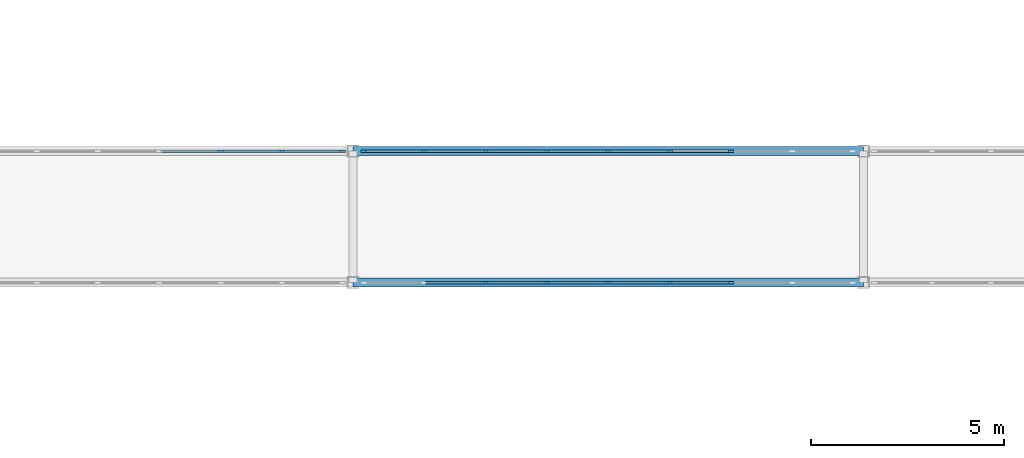
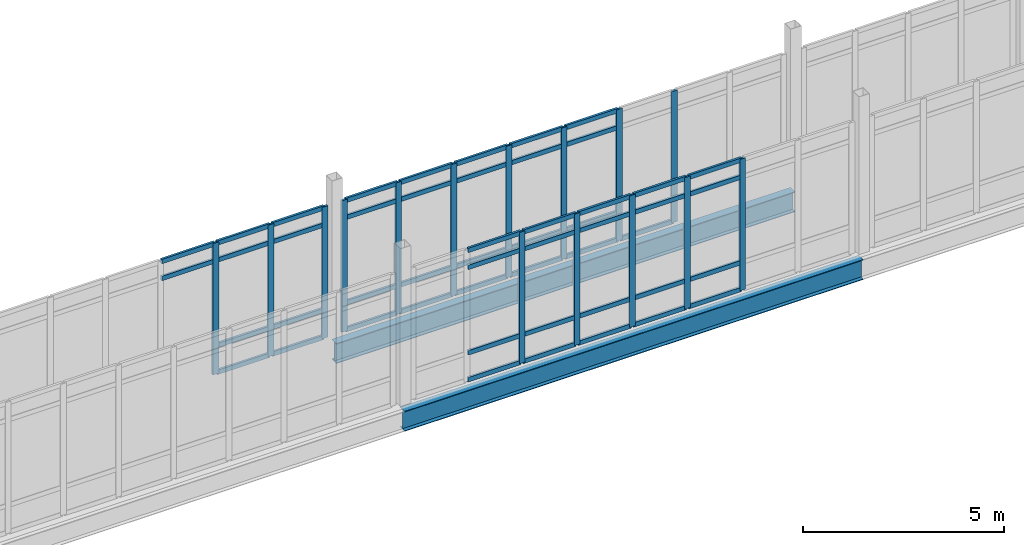
# One storey, part 41 of 125: 66 members, 2 beams, 3 elements without a shape of their own.
"""IFC4 building model written with IfcOpenShell, lengths in metres."""

from ifc_helpers import new_model, si_unit, direction, frame, origin, origin_2d, place, context, subcontext, project, spatial, rectangle, i_section, extrude, material, material_profile, profile_set, type_object, element, aggregate, save


model = new_model("IFC4")

# Units and contexts
model_context = context("Model", 3, precision=1e-05, world=origin(), true_north=direction((0.0, 1.0)))
body_context = subcontext(model_context, "Body", "Model", "MODEL_VIEW")
ifc_project = project(units=[si_unit("LENGTHUNIT", "METRE"), si_unit("AREAUNIT", "SQUARE_METRE"), si_unit("VOLUMEUNIT", "CUBIC_METRE"), si_unit("PLANEANGLEUNIT", "RADIAN"), si_unit("MASSUNIT", "GRAM", prefix="KILO")], contexts=[model_context])

# Site, building, storey
site_placement = place(None, origin())
site = spatial("IfcSite", under=ifc_project, at=site_placement, CompositionType="ELEMENT")
building_placement = place(site_placement, origin())
building = spatial("IfcBuilding", under=site, at=building_placement, Name="Dornvale Research Institute", CompositionType="ELEMENT")
storey_placement = place(building_placement, frame((0.0, 0.0, 5.39990234375)))
storey = spatial("IfcBuildingStorey", under=building, at=storey_placement, Name="L01", CompositionType="ELEMENT", Elevation=5.39990234375)

# Beams
ifc_material_1 = material(Name="Steel ASTM A992 Grade 50", Category="steel")
ifc_material_profile_1 = material_profile(ifc_material_1, i_section(OverallWidth=0.22900390625, OverallDepth=0.612060546875, WebThickness=0.011962890625, FlangeThickness=0.01953125, at=origin_2d()), Name="W24X84")
ifc_profile_set_1 = profile_set([ifc_material_profile_1], Name="Steel ASTM A992 Grade 50")
beam_type = type_object("IfcBeamType", Name="Beam_Steel_W24X84_Bridge", PredefinedType="BEAM", material=ifc_profile_set_1)
for number, where, z_axis, x_axis, name in (
    (1, (85.800048828125, 113.10009765625, -0.52587890625), (1.0, 0.0, 0.0), (0.0, 1.0, 0.0), "L01 BR-5 south girder #2026"),
    (2, (85.800048828125, 116.5, -0.52587890625), (1.0, 0.0, 0.0), (0.0, 1.0, 0.0), "L01 BR-5 north girder #2026"),
):
    element("IfcBeam", number, at=place(storey_placement, frame(where, z_axis=z_axis, x_axis=x_axis)), inside=storey, type_object=beam_type, Name=name, PredefinedType="BEAM", context=body_context, shape_type="SweptSolid", body=[
        extrude(i_section(OverallWidth=0.22900390625, OverallDepth=0.612060546875, WebThickness=0.011962890625, FlangeThickness=0.01953125, at=origin_2d()), origin(), (0.0, 0.0, 1.0), 13.199951171875),
    ])

# Curtain wall, members
ifc_material_2 = material(Name="Low-E Argon Double Insulating Glazing Unit", Category="glass")
curtain_wall_type = type_object("IfcCurtainWallType", Name="UnitisedCurtainWall_V2_12700x4000", PredefinedType="USERDEFINED", material=ifc_material_2)
curtain_wall_1_placement = place(storey_placement, origin())
curtain_wall_1 = element("IfcCurtainWall", 3, at=curtain_wall_1_placement, inside=storey, type_object=curtain_wall_type, Name="L01 V2 unitised curtain wall CW-42 #215", ObjectType="UNITISED CURTAIN WALL", PredefinedType="USERDEFINED")
ifc_material_3 = material(Name="Anodized Aluminum AA 6063-T6 Thermally Broken Frame", Category="aluminium")
ifc_material_profile_2 = material_profile(ifc_material_3, rectangle(XDim=0.06494140625, YDim=0.1650390625, at=origin_2d()), Name="ALU MULLION 65x165")
ifc_profile_set_2 = profile_set([ifc_material_profile_2], Name="Anodized Aluminum AA 6063-T6 Thermally Broken Frame")
member_type_1 = type_object("IfcMemberType", Name="Mullion_Atrium_65x165", PredefinedType="MULLION", material=ifc_profile_set_2)
member_1_placement = place(storey_placement, frame((82.375, 116.5, 0.0), z_axis=(0.0, 0.0, 1.0), x_axis=(0.0, 1.0, 0.0)))
member_1 = element("IfcMember", 4, at=member_1_placement, type_object=member_type_1, Name="CW-42 mullion 7", PredefinedType="MULLION", context=body_context, shape_type="SweptSolid", body=[
    extrude(rectangle(XDim=0.06494140625, YDim=0.1650390625, at=origin_2d()), origin(), (0.0, 0.0, 1.0), 4.0),
])
member_2_placement = place(storey_placement, frame((83.96240234375, 116.5, 0.0), z_axis=(0.0, 0.0, 1.0), x_axis=(0.0, 1.0, 0.0)))
member_2 = element("IfcMember", 5, at=member_2_placement, type_object=member_type_1, Name="CW-42 mullion 8", PredefinedType="MULLION", context=body_context, shape_type="SweptSolid", body=[
    extrude(rectangle(XDim=0.06494140625, YDim=0.1650390625, at=origin_2d()), origin(), (0.0, 0.0, 1.0), 4.0),
])
member_3_placement = place(storey_placement, frame((85.517578125, 116.5, 0.0), z_axis=(0.0, 0.0, 1.0), x_axis=(0.0, 1.0, 0.0)))
member_3 = element("IfcMember", 6, at=member_3_placement, type_object=member_type_1, Name="CW-42 mullion 9", PredefinedType="MULLION", context=body_context, shape_type="SweptSolid", body=[
    extrude(rectangle(XDim=0.06494140625, YDim=0.1650390625, at=origin_2d()), origin(), (0.0, 0.0, 1.0), 4.0),
])

curtain_wall_2_placement = place(storey_placement, origin())
curtain_wall_2 = element("IfcCurtainWall", 7, at=curtain_wall_2_placement, inside=storey, type_object=curtain_wall_type, Name="L01 V2 unitised curtain wall CW-42 #217", ObjectType="UNITISED CURTAIN WALL", PredefinedType="USERDEFINED")
member_4_placement = place(storey_placement, frame((86.08251953125, 116.5, 0.0), z_axis=(0.0, 0.0, 1.0), x_axis=(0.0, 1.0, 0.0)))
member_4 = element("IfcMember", 8, at=member_4_placement, type_object=member_type_1, Name="CW-42 mullion 1", PredefinedType="MULLION", context=body_context, shape_type="SweptSolid", body=[
    extrude(rectangle(XDim=0.06494140625, YDim=0.1650390625, at=origin_2d()), origin(), (0.0, 0.0, 1.0), 4.0),
])
member_5_placement = place(storey_placement, frame((87.637451171875, 116.5, 0.0), z_axis=(0.0, 0.0, 1.0), x_axis=(0.0, 1.0, 0.0)))
member_5 = element("IfcMember", 9, at=member_5_placement, type_object=member_type_1, Name="CW-42 mullion 2", PredefinedType="MULLION", context=body_context, shape_type="SweptSolid", body=[
    extrude(rectangle(XDim=0.06494140625, YDim=0.1650390625, at=origin_2d()), origin(), (0.0, 0.0, 1.0), 4.0),
])
member_6_placement = place(storey_placement, frame((89.22509765625, 116.5, 0.0), z_axis=(0.0, 0.0, 1.0), x_axis=(0.0, 1.0, 0.0)))
member_6 = element("IfcMember", 10, at=member_6_placement, type_object=member_type_1, Name="CW-42 mullion 3", PredefinedType="MULLION", context=body_context, shape_type="SweptSolid", body=[
    extrude(rectangle(XDim=0.06494140625, YDim=0.1650390625, at=origin_2d()), origin(), (0.0, 0.0, 1.0), 4.0),
])
member_7_placement = place(storey_placement, frame((90.8125, 116.5, 0.0), z_axis=(0.0, 0.0, 1.0), x_axis=(0.0, 1.0, 0.0)))
member_7 = element("IfcMember", 11, at=member_7_placement, type_object=member_type_1, Name="CW-42 mullion 4", PredefinedType="MULLION", context=body_context, shape_type="SweptSolid", body=[
    extrude(rectangle(XDim=0.06494140625, YDim=0.1650390625, at=origin_2d()), origin(), (0.0, 0.0, 1.0), 4.0),
])
member_8_placement = place(storey_placement, frame((92.39990234375, 116.5, 0.0), z_axis=(0.0, 0.0, 1.0), x_axis=(0.0, 1.0, 0.0)))
member_8 = element("IfcMember", 12, at=member_8_placement, type_object=member_type_1, Name="CW-42 mullion 5", PredefinedType="MULLION", context=body_context, shape_type="SweptSolid", body=[
    extrude(rectangle(XDim=0.06494140625, YDim=0.1650390625, at=origin_2d()), origin(), (0.0, 0.0, 1.0), 4.0),
])
member_9_placement = place(storey_placement, frame((93.987548828125, 116.5, 0.0), z_axis=(0.0, 0.0, 1.0), x_axis=(0.0, 1.0, 0.0)))
member_9 = element("IfcMember", 13, at=member_9_placement, type_object=member_type_1, Name="CW-42 mullion 6", PredefinedType="MULLION", context=body_context, shape_type="SweptSolid", body=[
    extrude(rectangle(XDim=0.06494140625, YDim=0.1650390625, at=origin_2d()), origin(), (0.0, 0.0, 1.0), 4.0),
])
member_10_placement = place(storey_placement, frame((95.574951171875, 116.5, 0.0), z_axis=(0.0, 0.0, 1.0), x_axis=(0.0, 1.0, 0.0)))
member_10 = element("IfcMember", 14, at=member_10_placement, type_object=member_type_1, Name="CW-42 mullion 7", PredefinedType="MULLION", context=body_context, shape_type="SweptSolid", body=[
    extrude(rectangle(XDim=0.06494140625, YDim=0.1650390625, at=origin_2d()), origin(), (0.0, 0.0, 1.0), 4.0),
])

curtain_wall_3_placement = place(storey_placement, origin())
curtain_wall_3 = element("IfcCurtainWall", 15, at=curtain_wall_3_placement, inside=storey, type_object=curtain_wall_type, Name="L01 V2 unitised curtain wall CW-42 #218", ObjectType="UNITISED CURTAIN WALL", PredefinedType="USERDEFINED")
member_11_placement = place(storey_placement, frame((95.574951171875, 113.10009765625, 0.0), z_axis=(0.0, 0.0, 1.0), x_axis=(0.0, -1.0, 0.0)))
member_11 = element("IfcMember", 16, at=member_11_placement, type_object=member_type_1, Name="CW-42 mullion 3", PredefinedType="MULLION", context=body_context, shape_type="SweptSolid", body=[
    extrude(rectangle(XDim=0.06494140625, YDim=0.1650390625, at=origin_2d()), origin(), (0.0, 0.0, 1.0), 4.0),
])
member_12_placement = place(storey_placement, frame((93.987548828125, 113.10009765625, 0.0), z_axis=(0.0, 0.0, 1.0), x_axis=(0.0, -1.0, 0.0)))
member_12 = element("IfcMember", 17, at=member_12_placement, type_object=member_type_1, Name="CW-42 mullion 4", PredefinedType="MULLION", context=body_context, shape_type="SweptSolid", body=[
    extrude(rectangle(XDim=0.06494140625, YDim=0.1650390625, at=origin_2d()), origin(), (0.0, 0.0, 1.0), 4.0),
])
member_13_placement = place(storey_placement, frame((92.39990234375, 113.10009765625, 0.0), z_axis=(0.0, 0.0, 1.0), x_axis=(0.0, -1.0, 0.0)))
member_13 = element("IfcMember", 18, at=member_13_placement, type_object=member_type_1, Name="CW-42 mullion 5", PredefinedType="MULLION", context=body_context, shape_type="SweptSolid", body=[
    extrude(rectangle(XDim=0.06494140625, YDim=0.1650390625, at=origin_2d()), origin(), (0.0, 0.0, 1.0), 4.0),
])
member_14_placement = place(storey_placement, frame((90.8125, 113.10009765625, 0.0), z_axis=(0.0, 0.0, 1.0), x_axis=(0.0, -1.0, 0.0)))
member_14 = element("IfcMember", 19, at=member_14_placement, type_object=member_type_1, Name="CW-42 mullion 6", PredefinedType="MULLION", context=body_context, shape_type="SweptSolid", body=[
    extrude(rectangle(XDim=0.06494140625, YDim=0.1650390625, at=origin_2d()), origin(), (0.0, 0.0, 1.0), 4.0),
])
member_15_placement = place(storey_placement, frame((89.22509765625, 113.10009765625, 0.0), z_axis=(0.0, 0.0, 1.0), x_axis=(0.0, -1.0, 0.0)))
member_15 = element("IfcMember", 20, at=member_15_placement, type_object=member_type_1, Name="CW-42 mullion 7", PredefinedType="MULLION", context=body_context, shape_type="SweptSolid", body=[
    extrude(rectangle(XDim=0.06494140625, YDim=0.1650390625, at=origin_2d()), origin(), (0.0, 0.0, 1.0), 4.0),
])

# Member
ifc_material_4 = material(Name="Anodized Aluminum AA 6063-T6 Thermally Broken Frame", Category="aluminium")
ifc_material_profile_3 = material_profile(ifc_material_4, rectangle(XDim=0.06494140625, YDim=0.135009765625, at=origin_2d()), Name="ALU TRANSOM 65x135")
ifc_profile_set_3 = profile_set([ifc_material_profile_3], Name="Anodized Aluminum AA 6063-T6 Thermally Broken Frame")
member_type_2 = type_object("IfcMemberType", Name="Transom_CW_65x135", PredefinedType="USERDEFINED", material=ifc_profile_set_3)
member_16_placement = place(storey_placement, frame((80.820068359375, 116.5, 3.4501953125), z_axis=(1.0, 0.0, 0.0), x_axis=(0.0, 1.0, 0.0)))
member_16 = element("IfcMember", 21, at=member_16_placement, type_object=member_type_2, Name="CW-42 transom 6.3", ObjectType="TRANSOM", PredefinedType="USERDEFINED", context=body_context, shape_type="SweptSolid", body=[
    extrude(rectangle(XDim=0.06494140625, YDim=0.135009765625, at=origin_2d()), origin(), (0.0, 0.0, 1.0), 1.5224609375),
])

member_17_placement = place(storey_placement, frame((80.820068359375, 116.5, 3.967529296875), z_axis=(1.0, 0.0, 0.0), x_axis=(0.0, 1.0, 0.0)))
member_17 = element("IfcMember", 22, at=member_17_placement, type_object=member_type_2, Name="CW-42 transom 6.4", ObjectType="TRANSOM", PredefinedType="USERDEFINED", context=body_context, shape_type="SweptSolid", body=[
    extrude(rectangle(XDim=0.06494140625, YDim=0.135009765625, at=origin_2d()), origin(), (0.0, 0.0, 1.0), 1.5224609375),
])

member_18_placement = place(storey_placement, frame((82.407470703125, 116.5, 0.03271484375), z_axis=(1.0, 0.0, 0.0), x_axis=(0.0, 1.0, 0.0)))
member_18 = element("IfcMember", 23, at=member_18_placement, type_object=member_type_2, Name="CW-42 transom 7.1", ObjectType="TRANSOM", PredefinedType="USERDEFINED", context=body_context, shape_type="SweptSolid", body=[
    extrude(rectangle(XDim=0.06494140625, YDim=0.135009765625, at=origin_2d()), origin(), (0.0, 0.0, 1.0), 1.5224609375),
])

member_19_placement = place(storey_placement, frame((82.407470703125, 116.5, 0.85009765625), z_axis=(1.0, 0.0, 0.0), x_axis=(0.0, 1.0, 0.0)))
member_19 = element("IfcMember", 24, at=member_19_placement, type_object=member_type_2, Name="CW-42 transom 7.2", ObjectType="TRANSOM", PredefinedType="USERDEFINED", context=body_context, shape_type="SweptSolid", body=[
    extrude(rectangle(XDim=0.06494140625, YDim=0.135009765625, at=origin_2d()), origin(), (0.0, 0.0, 1.0), 1.5224609375),
])

member_20_placement = place(storey_placement, frame((82.407470703125, 116.5, 3.4501953125), z_axis=(1.0, 0.0, 0.0), x_axis=(0.0, 1.0, 0.0)))
member_20 = element("IfcMember", 25, at=member_20_placement, type_object=member_type_2, Name="CW-42 transom 7.3", ObjectType="TRANSOM", PredefinedType="USERDEFINED", context=body_context, shape_type="SweptSolid", body=[
    extrude(rectangle(XDim=0.06494140625, YDim=0.135009765625, at=origin_2d()), origin(), (0.0, 0.0, 1.0), 1.5224609375),
])

member_21_placement = place(storey_placement, frame((82.407470703125, 116.5, 3.967529296875), z_axis=(1.0, 0.0, 0.0), x_axis=(0.0, 1.0, 0.0)))
member_21 = element("IfcMember", 26, at=member_21_placement, type_object=member_type_2, Name="CW-42 transom 7.4", ObjectType="TRANSOM", PredefinedType="USERDEFINED", context=body_context, shape_type="SweptSolid", body=[
    extrude(rectangle(XDim=0.06494140625, YDim=0.135009765625, at=origin_2d()), origin(), (0.0, 0.0, 1.0), 1.5224609375),
])

member_22_placement = place(storey_placement, frame((83.9951171875, 116.5, 0.03271484375), z_axis=(1.0, 0.0, 0.0), x_axis=(0.0, 1.0, 0.0)))
member_22 = element("IfcMember", 27, at=member_22_placement, type_object=member_type_2, Name="CW-42 transom 8.1", ObjectType="TRANSOM", PredefinedType="USERDEFINED", context=body_context, shape_type="SweptSolid", body=[
    extrude(rectangle(XDim=0.06494140625, YDim=0.135009765625, at=origin_2d()), origin(), (0.0, 0.0, 1.0), 1.489990234375),
])

member_23_placement = place(storey_placement, frame((83.9951171875, 116.5, 0.85009765625), z_axis=(1.0, 0.0, 0.0), x_axis=(0.0, 1.0, 0.0)))
member_23 = element("IfcMember", 28, at=member_23_placement, type_object=member_type_2, Name="CW-42 transom 8.2", ObjectType="TRANSOM", PredefinedType="USERDEFINED", context=body_context, shape_type="SweptSolid", body=[
    extrude(rectangle(XDim=0.06494140625, YDim=0.135009765625, at=origin_2d()), origin(), (0.0, 0.0, 1.0), 1.489990234375),
])

member_24_placement = place(storey_placement, frame((83.9951171875, 116.5, 3.4501953125), z_axis=(1.0, 0.0, 0.0), x_axis=(0.0, 1.0, 0.0)))
member_24 = element("IfcMember", 29, at=member_24_placement, type_object=member_type_2, Name="CW-42 transom 8.3", ObjectType="TRANSOM", PredefinedType="USERDEFINED", context=body_context, shape_type="SweptSolid", body=[
    extrude(rectangle(XDim=0.06494140625, YDim=0.135009765625, at=origin_2d()), origin(), (0.0, 0.0, 1.0), 1.489990234375),
])

member_25_placement = place(storey_placement, frame((83.9951171875, 116.5, 3.967529296875), z_axis=(1.0, 0.0, 0.0), x_axis=(0.0, 1.0, 0.0)))
member_25 = element("IfcMember", 30, at=member_25_placement, type_object=member_type_2, Name="CW-42 transom 8.4", ObjectType="TRANSOM", PredefinedType="USERDEFINED", context=body_context, shape_type="SweptSolid", body=[
    extrude(rectangle(XDim=0.06494140625, YDim=0.135009765625, at=origin_2d()), origin(), (0.0, 0.0, 1.0), 1.489990234375),
])

aggregate(curtain_wall_1, [member_1, member_2, member_3, member_16, member_17, member_18, member_19, member_20, member_21, member_22, member_23, member_24, member_25])

member_26_placement = place(storey_placement, frame((86.114990234375, 116.5, 0.03271484375), z_axis=(1.0, 0.0, 0.0), x_axis=(0.0, 1.0, 0.0)))
member_26 = element("IfcMember", 31, at=member_26_placement, type_object=member_type_2, Name="CW-42 transom 1.1", ObjectType="TRANSOM", PredefinedType="USERDEFINED", context=body_context, shape_type="SweptSolid", body=[
    extrude(rectangle(XDim=0.06494140625, YDim=0.135009765625, at=origin_2d()), origin(), (0.0, 0.0, 1.0), 1.489990234375),
])

member_27_placement = place(storey_placement, frame((86.114990234375, 116.5, 0.85009765625), z_axis=(1.0, 0.0, 0.0), x_axis=(0.0, 1.0, 0.0)))
member_27 = element("IfcMember", 32, at=member_27_placement, type_object=member_type_2, Name="CW-42 transom 1.2", ObjectType="TRANSOM", PredefinedType="USERDEFINED", context=body_context, shape_type="SweptSolid", body=[
    extrude(rectangle(XDim=0.06494140625, YDim=0.135009765625, at=origin_2d()), origin(), (0.0, 0.0, 1.0), 1.489990234375),
])

member_28_placement = place(storey_placement, frame((86.114990234375, 116.5, 3.4501953125), z_axis=(1.0, 0.0, 0.0), x_axis=(0.0, 1.0, 0.0)))
member_28 = element("IfcMember", 33, at=member_28_placement, type_object=member_type_2, Name="CW-42 transom 1.3", ObjectType="TRANSOM", PredefinedType="USERDEFINED", context=body_context, shape_type="SweptSolid", body=[
    extrude(rectangle(XDim=0.06494140625, YDim=0.135009765625, at=origin_2d()), origin(), (0.0, 0.0, 1.0), 1.489990234375),
])

member_29_placement = place(storey_placement, frame((86.114990234375, 116.5, 3.967529296875), z_axis=(1.0, 0.0, 0.0), x_axis=(0.0, 1.0, 0.0)))
member_29 = element("IfcMember", 34, at=member_29_placement, type_object=member_type_2, Name="CW-42 transom 1.4", ObjectType="TRANSOM", PredefinedType="USERDEFINED", context=body_context, shape_type="SweptSolid", body=[
    extrude(rectangle(XDim=0.06494140625, YDim=0.135009765625, at=origin_2d()), origin(), (0.0, 0.0, 1.0), 1.489990234375),
])

member_30_placement = place(storey_placement, frame((87.669921875, 116.5, 0.03271484375), z_axis=(1.0, 0.0, 0.0), x_axis=(0.0, 1.0, 0.0)))
member_30 = element("IfcMember", 35, at=member_30_placement, type_object=member_type_2, Name="CW-42 transom 2.1", ObjectType="TRANSOM", PredefinedType="USERDEFINED", context=body_context, shape_type="SweptSolid", body=[
    extrude(rectangle(XDim=0.06494140625, YDim=0.135009765625, at=origin_2d()), origin(), (0.0, 0.0, 1.0), 1.5224609375),
])

member_31_placement = place(storey_placement, frame((87.669921875, 116.5, 0.85009765625), z_axis=(1.0, 0.0, 0.0), x_axis=(0.0, 1.0, 0.0)))
member_31 = element("IfcMember", 36, at=member_31_placement, type_object=member_type_2, Name="CW-42 transom 2.2", ObjectType="TRANSOM", PredefinedType="USERDEFINED", context=body_context, shape_type="SweptSolid", body=[
    extrude(rectangle(XDim=0.06494140625, YDim=0.135009765625, at=origin_2d()), origin(), (0.0, 0.0, 1.0), 1.5224609375),
])

member_32_placement = place(storey_placement, frame((87.669921875, 116.5, 3.4501953125), z_axis=(1.0, 0.0, 0.0), x_axis=(0.0, 1.0, 0.0)))
member_32 = element("IfcMember", 37, at=member_32_placement, type_object=member_type_2, Name="CW-42 transom 2.3", ObjectType="TRANSOM", PredefinedType="USERDEFINED", context=body_context, shape_type="SweptSolid", body=[
    extrude(rectangle(XDim=0.06494140625, YDim=0.135009765625, at=origin_2d()), origin(), (0.0, 0.0, 1.0), 1.5224609375),
])

member_33_placement = place(storey_placement, frame((87.669921875, 116.5, 3.967529296875), z_axis=(1.0, 0.0, 0.0), x_axis=(0.0, 1.0, 0.0)))
member_33 = element("IfcMember", 38, at=member_33_placement, type_object=member_type_2, Name="CW-42 transom 2.4", ObjectType="TRANSOM", PredefinedType="USERDEFINED", context=body_context, shape_type="SweptSolid", body=[
    extrude(rectangle(XDim=0.06494140625, YDim=0.135009765625, at=origin_2d()), origin(), (0.0, 0.0, 1.0), 1.5224609375),
])

member_34_placement = place(storey_placement, frame((89.257568359375, 116.5, 0.03271484375), z_axis=(1.0, 0.0, 0.0), x_axis=(0.0, 1.0, 0.0)))
member_34 = element("IfcMember", 39, at=member_34_placement, type_object=member_type_2, Name="CW-42 transom 3.1", ObjectType="TRANSOM", PredefinedType="USERDEFINED", context=body_context, shape_type="SweptSolid", body=[
    extrude(rectangle(XDim=0.06494140625, YDim=0.135009765625, at=origin_2d()), origin(), (0.0, 0.0, 1.0), 1.5224609375),
])

member_35_placement = place(storey_placement, frame((89.257568359375, 116.5, 0.85009765625), z_axis=(1.0, 0.0, 0.0), x_axis=(0.0, 1.0, 0.0)))
member_35 = element("IfcMember", 40, at=member_35_placement, type_object=member_type_2, Name="CW-42 transom 3.2", ObjectType="TRANSOM", PredefinedType="USERDEFINED", context=body_context, shape_type="SweptSolid", body=[
    extrude(rectangle(XDim=0.06494140625, YDim=0.135009765625, at=origin_2d()), origin(), (0.0, 0.0, 1.0), 1.5224609375),
])

member_36_placement = place(storey_placement, frame((89.257568359375, 116.5, 3.4501953125), z_axis=(1.0, 0.0, 0.0), x_axis=(0.0, 1.0, 0.0)))
member_36 = element("IfcMember", 41, at=member_36_placement, type_object=member_type_2, Name="CW-42 transom 3.3", ObjectType="TRANSOM", PredefinedType="USERDEFINED", context=body_context, shape_type="SweptSolid", body=[
    extrude(rectangle(XDim=0.06494140625, YDim=0.135009765625, at=origin_2d()), origin(), (0.0, 0.0, 1.0), 1.5224609375),
])

member_37_placement = place(storey_placement, frame((89.257568359375, 116.5, 3.967529296875), z_axis=(1.0, 0.0, 0.0), x_axis=(0.0, 1.0, 0.0)))
member_37 = element("IfcMember", 42, at=member_37_placement, type_object=member_type_2, Name="CW-42 transom 3.4", ObjectType="TRANSOM", PredefinedType="USERDEFINED", context=body_context, shape_type="SweptSolid", body=[
    extrude(rectangle(XDim=0.06494140625, YDim=0.135009765625, at=origin_2d()), origin(), (0.0, 0.0, 1.0), 1.5224609375),
])

member_38_placement = place(storey_placement, frame((90.844970703125, 116.5, 0.03271484375), z_axis=(1.0, 0.0, 0.0), x_axis=(0.0, 1.0, 0.0)))
member_38 = element("IfcMember", 43, at=member_38_placement, type_object=member_type_2, Name="CW-42 transom 4.1", ObjectType="TRANSOM", PredefinedType="USERDEFINED", context=body_context, shape_type="SweptSolid", body=[
    extrude(rectangle(XDim=0.06494140625, YDim=0.135009765625, at=origin_2d()), origin(), (0.0, 0.0, 1.0), 1.5224609375),
])

member_39_placement = place(storey_placement, frame((90.844970703125, 116.5, 0.85009765625), z_axis=(1.0, 0.0, 0.0), x_axis=(0.0, 1.0, 0.0)))
member_39 = element("IfcMember", 44, at=member_39_placement, type_object=member_type_2, Name="CW-42 transom 4.2", ObjectType="TRANSOM", PredefinedType="USERDEFINED", context=body_context, shape_type="SweptSolid", body=[
    extrude(rectangle(XDim=0.06494140625, YDim=0.135009765625, at=origin_2d()), origin(), (0.0, 0.0, 1.0), 1.5224609375),
])

member_40_placement = place(storey_placement, frame((90.844970703125, 116.5, 3.4501953125), z_axis=(1.0, 0.0, 0.0), x_axis=(0.0, 1.0, 0.0)))
member_40 = element("IfcMember", 45, at=member_40_placement, type_object=member_type_2, Name="CW-42 transom 4.3", ObjectType="TRANSOM", PredefinedType="USERDEFINED", context=body_context, shape_type="SweptSolid", body=[
    extrude(rectangle(XDim=0.06494140625, YDim=0.135009765625, at=origin_2d()), origin(), (0.0, 0.0, 1.0), 1.5224609375),
])

member_41_placement = place(storey_placement, frame((90.844970703125, 116.5, 3.967529296875), z_axis=(1.0, 0.0, 0.0), x_axis=(0.0, 1.0, 0.0)))
member_41 = element("IfcMember", 46, at=member_41_placement, type_object=member_type_2, Name="CW-42 transom 4.4", ObjectType="TRANSOM", PredefinedType="USERDEFINED", context=body_context, shape_type="SweptSolid", body=[
    extrude(rectangle(XDim=0.06494140625, YDim=0.135009765625, at=origin_2d()), origin(), (0.0, 0.0, 1.0), 1.5224609375),
])

member_42_placement = place(storey_placement, frame((92.4326171875, 116.5, 0.03271484375), z_axis=(1.0, 0.0, 0.0), x_axis=(0.0, 1.0, 0.0)))
member_42 = element("IfcMember", 47, at=member_42_placement, type_object=member_type_2, Name="CW-42 transom 5.1", ObjectType="TRANSOM", PredefinedType="USERDEFINED", context=body_context, shape_type="SweptSolid", body=[
    extrude(rectangle(XDim=0.06494140625, YDim=0.135009765625, at=origin_2d()), origin(), (0.0, 0.0, 1.0), 1.5224609375),
])

member_43_placement = place(storey_placement, frame((92.4326171875, 116.5, 0.85009765625), z_axis=(1.0, 0.0, 0.0), x_axis=(0.0, 1.0, 0.0)))
member_43 = element("IfcMember", 48, at=member_43_placement, type_object=member_type_2, Name="CW-42 transom 5.2", ObjectType="TRANSOM", PredefinedType="USERDEFINED", context=body_context, shape_type="SweptSolid", body=[
    extrude(rectangle(XDim=0.06494140625, YDim=0.135009765625, at=origin_2d()), origin(), (0.0, 0.0, 1.0), 1.5224609375),
])

member_44_placement = place(storey_placement, frame((92.4326171875, 116.5, 3.4501953125), z_axis=(1.0, 0.0, 0.0), x_axis=(0.0, 1.0, 0.0)))
member_44 = element("IfcMember", 49, at=member_44_placement, type_object=member_type_2, Name="CW-42 transom 5.3", ObjectType="TRANSOM", PredefinedType="USERDEFINED", context=body_context, shape_type="SweptSolid", body=[
    extrude(rectangle(XDim=0.06494140625, YDim=0.135009765625, at=origin_2d()), origin(), (0.0, 0.0, 1.0), 1.5224609375),
])

member_45_placement = place(storey_placement, frame((92.4326171875, 116.5, 3.967529296875), z_axis=(1.0, 0.0, 0.0), x_axis=(0.0, 1.0, 0.0)))
member_45 = element("IfcMember", 50, at=member_45_placement, type_object=member_type_2, Name="CW-42 transom 5.4", ObjectType="TRANSOM", PredefinedType="USERDEFINED", context=body_context, shape_type="SweptSolid", body=[
    extrude(rectangle(XDim=0.06494140625, YDim=0.135009765625, at=origin_2d()), origin(), (0.0, 0.0, 1.0), 1.5224609375),
])

member_46_placement = place(storey_placement, frame((94.02001953125, 116.5, 0.03271484375), z_axis=(1.0, 0.0, 0.0), x_axis=(0.0, 1.0, 0.0)))
member_46 = element("IfcMember", 51, at=member_46_placement, type_object=member_type_2, Name="CW-42 transom 6.1", ObjectType="TRANSOM", PredefinedType="USERDEFINED", context=body_context, shape_type="SweptSolid", body=[
    extrude(rectangle(XDim=0.06494140625, YDim=0.135009765625, at=origin_2d()), origin(), (0.0, 0.0, 1.0), 1.5224609375),
])

aggregate(curtain_wall_2, [member_4, member_5, member_6, member_7, member_8, member_9, member_10, member_26, member_27, member_28, member_29, member_30, member_31, member_32, member_33, member_34, member_35, member_36, member_37, member_38, member_39, member_40, member_41, member_42, member_43, member_44, member_45, member_46])

member_47_placement = place(storey_placement, frame((95.54248046875, 113.10009765625, 0.03271484375), z_axis=(-1.0, 0.0, 0.0), x_axis=(0.0, -1.0, 0.0)))
member_47 = element("IfcMember", 52, at=member_47_placement, type_object=member_type_2, Name="CW-42 transom 3.1", ObjectType="TRANSOM", PredefinedType="USERDEFINED", context=body_context, shape_type="SweptSolid", body=[
    extrude(rectangle(XDim=0.06494140625, YDim=0.135009765625, at=origin_2d()), origin(), (0.0, 0.0, 1.0), 1.5224609375),
])

member_48_placement = place(storey_placement, frame((95.54248046875, 113.10009765625, 0.85009765625), z_axis=(-1.0, 0.0, 0.0), x_axis=(0.0, -1.0, 0.0)))
member_48 = element("IfcMember", 53, at=member_48_placement, type_object=member_type_2, Name="CW-42 transom 3.2", ObjectType="TRANSOM", PredefinedType="USERDEFINED", context=body_context, shape_type="SweptSolid", body=[
    extrude(rectangle(XDim=0.06494140625, YDim=0.135009765625, at=origin_2d()), origin(), (0.0, 0.0, 1.0), 1.5224609375),
])

member_49_placement = place(storey_placement, frame((95.54248046875, 113.10009765625, 3.4501953125), z_axis=(-1.0, 0.0, 0.0), x_axis=(0.0, -1.0, 0.0)))
member_49 = element("IfcMember", 54, at=member_49_placement, type_object=member_type_2, Name="CW-42 transom 3.3", ObjectType="TRANSOM", PredefinedType="USERDEFINED", context=body_context, shape_type="SweptSolid", body=[
    extrude(rectangle(XDim=0.06494140625, YDim=0.135009765625, at=origin_2d()), origin(), (0.0, 0.0, 1.0), 1.5224609375),
])

member_50_placement = place(storey_placement, frame((95.54248046875, 113.10009765625, 3.967529296875), z_axis=(-1.0, 0.0, 0.0), x_axis=(0.0, -1.0, 0.0)))
member_50 = element("IfcMember", 55, at=member_50_placement, type_object=member_type_2, Name="CW-42 transom 3.4", ObjectType="TRANSOM", PredefinedType="USERDEFINED", context=body_context, shape_type="SweptSolid", body=[
    extrude(rectangle(XDim=0.06494140625, YDim=0.135009765625, at=origin_2d()), origin(), (0.0, 0.0, 1.0), 1.5224609375),
])

member_51_placement = place(storey_placement, frame((93.955078125, 113.10009765625, 0.03271484375), z_axis=(-1.0, 0.0, 0.0), x_axis=(0.0, -1.0, 0.0)))
member_51 = element("IfcMember", 56, at=member_51_placement, type_object=member_type_2, Name="CW-42 transom 4.1", ObjectType="TRANSOM", PredefinedType="USERDEFINED", context=body_context, shape_type="SweptSolid", body=[
    extrude(rectangle(XDim=0.06494140625, YDim=0.135009765625, at=origin_2d()), origin(), (0.0, 0.0, 1.0), 1.5224609375),
])

member_52_placement = place(storey_placement, frame((93.955078125, 113.10009765625, 0.85009765625), z_axis=(-1.0, 0.0, 0.0), x_axis=(0.0, -1.0, 0.0)))
member_52 = element("IfcMember", 57, at=member_52_placement, type_object=member_type_2, Name="CW-42 transom 4.2", ObjectType="TRANSOM", PredefinedType="USERDEFINED", context=body_context, shape_type="SweptSolid", body=[
    extrude(rectangle(XDim=0.06494140625, YDim=0.135009765625, at=origin_2d()), origin(), (0.0, 0.0, 1.0), 1.5224609375),
])

member_53_placement = place(storey_placement, frame((93.955078125, 113.10009765625, 3.4501953125), z_axis=(-1.0, 0.0, 0.0), x_axis=(0.0, -1.0, 0.0)))
member_53 = element("IfcMember", 58, at=member_53_placement, type_object=member_type_2, Name="CW-42 transom 4.3", ObjectType="TRANSOM", PredefinedType="USERDEFINED", context=body_context, shape_type="SweptSolid", body=[
    extrude(rectangle(XDim=0.06494140625, YDim=0.135009765625, at=origin_2d()), origin(), (0.0, 0.0, 1.0), 1.5224609375),
])

member_54_placement = place(storey_placement, frame((93.955078125, 113.10009765625, 3.967529296875), z_axis=(-1.0, 0.0, 0.0), x_axis=(0.0, -1.0, 0.0)))
member_54 = element("IfcMember", 59, at=member_54_placement, type_object=member_type_2, Name="CW-42 transom 4.4", ObjectType="TRANSOM", PredefinedType="USERDEFINED", context=body_context, shape_type="SweptSolid", body=[
    extrude(rectangle(XDim=0.06494140625, YDim=0.135009765625, at=origin_2d()), origin(), (0.0, 0.0, 1.0), 1.5224609375),
])

member_55_placement = place(storey_placement, frame((92.367431640625, 113.10009765625, 0.03271484375), z_axis=(-1.0, 0.0, 0.0), x_axis=(0.0, -1.0, 0.0)))
member_55 = element("IfcMember", 60, at=member_55_placement, type_object=member_type_2, Name="CW-42 transom 5.1", ObjectType="TRANSOM", PredefinedType="USERDEFINED", context=body_context, shape_type="SweptSolid", body=[
    extrude(rectangle(XDim=0.06494140625, YDim=0.135009765625, at=origin_2d()), origin(), (0.0, 0.0, 1.0), 1.5224609375),
])

member_56_placement = place(storey_placement, frame((92.367431640625, 113.10009765625, 0.85009765625), z_axis=(-1.0, 0.0, 0.0), x_axis=(0.0, -1.0, 0.0)))
member_56 = element("IfcMember", 61, at=member_56_placement, type_object=member_type_2, Name="CW-42 transom 5.2", ObjectType="TRANSOM", PredefinedType="USERDEFINED", context=body_context, shape_type="SweptSolid", body=[
    extrude(rectangle(XDim=0.06494140625, YDim=0.135009765625, at=origin_2d()), origin(), (0.0, 0.0, 1.0), 1.5224609375),
])

member_57_placement = place(storey_placement, frame((92.367431640625, 113.10009765625, 3.4501953125), z_axis=(-1.0, 0.0, 0.0), x_axis=(0.0, -1.0, 0.0)))
member_57 = element("IfcMember", 62, at=member_57_placement, type_object=member_type_2, Name="CW-42 transom 5.3", ObjectType="TRANSOM", PredefinedType="USERDEFINED", context=body_context, shape_type="SweptSolid", body=[
    extrude(rectangle(XDim=0.06494140625, YDim=0.135009765625, at=origin_2d()), origin(), (0.0, 0.0, 1.0), 1.5224609375),
])

member_58_placement = place(storey_placement, frame((92.367431640625, 113.10009765625, 3.967529296875), z_axis=(-1.0, 0.0, 0.0), x_axis=(0.0, -1.0, 0.0)))
member_58 = element("IfcMember", 63, at=member_58_placement, type_object=member_type_2, Name="CW-42 transom 5.4", ObjectType="TRANSOM", PredefinedType="USERDEFINED", context=body_context, shape_type="SweptSolid", body=[
    extrude(rectangle(XDim=0.06494140625, YDim=0.135009765625, at=origin_2d()), origin(), (0.0, 0.0, 1.0), 1.5224609375),
])

member_59_placement = place(storey_placement, frame((90.780029296875, 113.10009765625, 0.03271484375), z_axis=(-1.0, 0.0, 0.0), x_axis=(0.0, -1.0, 0.0)))
member_59 = element("IfcMember", 64, at=member_59_placement, type_object=member_type_2, Name="CW-42 transom 6.1", ObjectType="TRANSOM", PredefinedType="USERDEFINED", context=body_context, shape_type="SweptSolid", body=[
    extrude(rectangle(XDim=0.06494140625, YDim=0.135009765625, at=origin_2d()), origin(), (0.0, 0.0, 1.0), 1.5224609375),
])

member_60_placement = place(storey_placement, frame((90.780029296875, 113.10009765625, 0.85009765625), z_axis=(-1.0, 0.0, 0.0), x_axis=(0.0, -1.0, 0.0)))
member_60 = element("IfcMember", 65, at=member_60_placement, type_object=member_type_2, Name="CW-42 transom 6.2", ObjectType="TRANSOM", PredefinedType="USERDEFINED", context=body_context, shape_type="SweptSolid", body=[
    extrude(rectangle(XDim=0.06494140625, YDim=0.135009765625, at=origin_2d()), origin(), (0.0, 0.0, 1.0), 1.5224609375),
])

member_61_placement = place(storey_placement, frame((90.780029296875, 113.10009765625, 3.4501953125), z_axis=(-1.0, 0.0, 0.0), x_axis=(0.0, -1.0, 0.0)))
member_61 = element("IfcMember", 66, at=member_61_placement, type_object=member_type_2, Name="CW-42 transom 6.3", ObjectType="TRANSOM", PredefinedType="USERDEFINED", context=body_context, shape_type="SweptSolid", body=[
    extrude(rectangle(XDim=0.06494140625, YDim=0.135009765625, at=origin_2d()), origin(), (0.0, 0.0, 1.0), 1.5224609375),
])

member_62_placement = place(storey_placement, frame((90.780029296875, 113.10009765625, 3.967529296875), z_axis=(-1.0, 0.0, 0.0), x_axis=(0.0, -1.0, 0.0)))
member_62 = element("IfcMember", 67, at=member_62_placement, type_object=member_type_2, Name="CW-42 transom 6.4", ObjectType="TRANSOM", PredefinedType="USERDEFINED", context=body_context, shape_type="SweptSolid", body=[
    extrude(rectangle(XDim=0.06494140625, YDim=0.135009765625, at=origin_2d()), origin(), (0.0, 0.0, 1.0), 1.5224609375),
])

member_63_placement = place(storey_placement, frame((89.1923828125, 113.10009765625, 0.03271484375), z_axis=(-1.0, 0.0, 0.0), x_axis=(0.0, -1.0, 0.0)))
member_63 = element("IfcMember", 68, at=member_63_placement, type_object=member_type_2, Name="CW-42 transom 7.1", ObjectType="TRANSOM", PredefinedType="USERDEFINED", context=body_context, shape_type="SweptSolid", body=[
    extrude(rectangle(XDim=0.06494140625, YDim=0.135009765625, at=origin_2d()), origin(), (0.0, 0.0, 1.0), 1.5224609375),
])

member_64_placement = place(storey_placement, frame((89.1923828125, 113.10009765625, 0.85009765625), z_axis=(-1.0, 0.0, 0.0), x_axis=(0.0, -1.0, 0.0)))
member_64 = element("IfcMember", 69, at=member_64_placement, type_object=member_type_2, Name="CW-42 transom 7.2", ObjectType="TRANSOM", PredefinedType="USERDEFINED", context=body_context, shape_type="SweptSolid", body=[
    extrude(rectangle(XDim=0.06494140625, YDim=0.135009765625, at=origin_2d()), origin(), (0.0, 0.0, 1.0), 1.5224609375),
])

member_65_placement = place(storey_placement, frame((89.1923828125, 113.10009765625, 3.4501953125), z_axis=(-1.0, 0.0, 0.0), x_axis=(0.0, -1.0, 0.0)))
member_65 = element("IfcMember", 70, at=member_65_placement, type_object=member_type_2, Name="CW-42 transom 7.3", ObjectType="TRANSOM", PredefinedType="USERDEFINED", context=body_context, shape_type="SweptSolid", body=[
    extrude(rectangle(XDim=0.06494140625, YDim=0.135009765625, at=origin_2d()), origin(), (0.0, 0.0, 1.0), 1.5224609375),
])

member_66_placement = place(storey_placement, frame((89.1923828125, 113.10009765625, 3.967529296875), z_axis=(-1.0, 0.0, 0.0), x_axis=(0.0, -1.0, 0.0)))
member_66 = element("IfcMember", 71, at=member_66_placement, type_object=member_type_2, Name="CW-42 transom 7.4", ObjectType="TRANSOM", PredefinedType="USERDEFINED", context=body_context, shape_type="SweptSolid", body=[
    extrude(rectangle(XDim=0.06494140625, YDim=0.135009765625, at=origin_2d()), origin(), (0.0, 0.0, 1.0), 1.5224609375),
])

aggregate(curtain_wall_3, [member_11, member_12, member_13, member_14, member_15, member_47, member_48, member_49, member_50, member_51, member_52, member_53, member_54, member_55, member_56, member_57, member_58, member_59, member_60, member_61, member_62, member_63, member_64, member_65, member_66])

save(model, "model.ifc")
